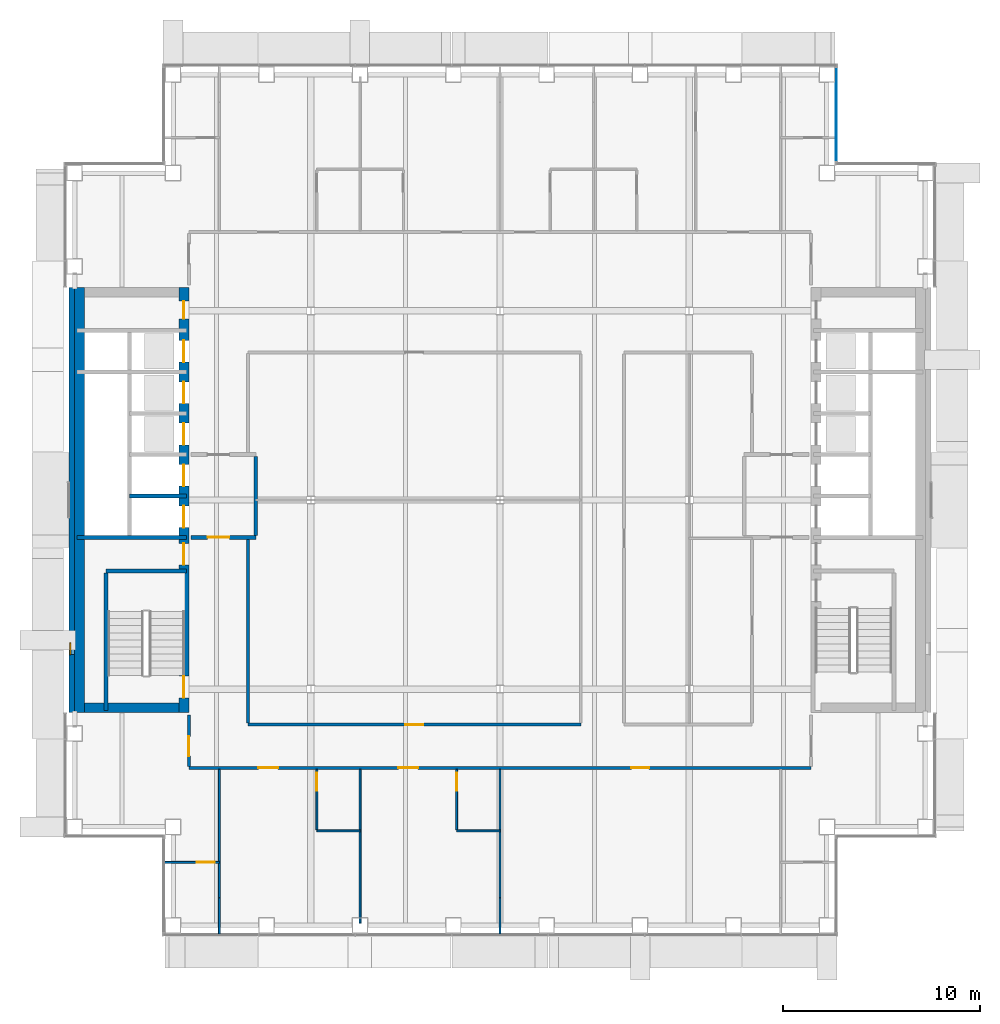
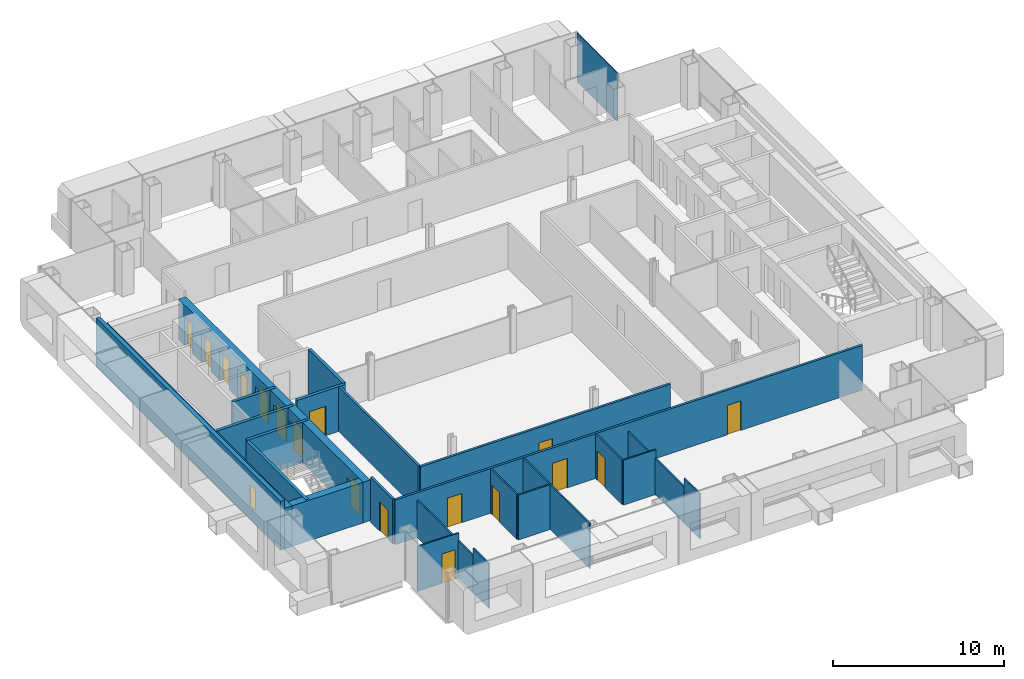
# One storey, part 12 of 21: 24 walls, 17 doors, 1 plate, 1 window, 18 openings, 1 element without a shape of its own.
"""IFC4 building model written with IfcOpenShell, lengths in metres."""

from ifc_helpers import new_model, si_unit, direction, frame, frame_2d, origin, origin_2d, place, context, subcontext, project, spatial, rectangle, extrude, material, layer, layer_set, type_object, element, fill, aggregate, save


model = new_model("IFC4")

# Units and contexts
model_context = context("Model", 3, precision=1e-05, world=origin(), true_north=direction((0.0, 1.0)))
body_context = subcontext(model_context, "Body", "Model", "MODEL_VIEW")
ifc_project = project(units=[si_unit("LENGTHUNIT", "METRE"), si_unit("AREAUNIT", "SQUARE_METRE"), si_unit("VOLUMEUNIT", "CUBIC_METRE"), si_unit("PLANEANGLEUNIT", "RADIAN"), si_unit("MASSUNIT", "GRAM", prefix="KILO")], contexts=[model_context])

# Site, building, storey
site_placement = place(None, origin())
site = spatial("IfcSite", under=ifc_project, at=site_placement, CompositionType="ELEMENT")
building_placement = place(site_placement, origin())
building = spatial("IfcBuilding", under=site, at=building_placement, Name="Cobrizo Arcos Hotel Tower", CompositionType="ELEMENT")
storey_placement = place(building_placement, frame((0.0, 0.0, 183.0)))
storey = spatial("IfcBuildingStorey", under=building, at=storey_placement, Name="L47", CompositionType="ELEMENT", Elevation=183.0)

# Curtain wall, plate
ifc_material_1 = material(Name="Aluminium 6063-T6 anodised bronze", Category="aluminium")
curtain_wall_type = type_object("IfcCurtainWallType", Name="CW-A guest facade", PredefinedType="NOTDEFINED", material=ifc_material_1)
curtain_wall_placement = place(storey_placement, origin())
curtain_wall = element("IfcCurtainWall", 1, at=curtain_wall_placement, inside=storey, type_object=curtain_wall_type, Name="CW-A L47 E face", PredefinedType="NOTDEFINED")
ifc_material_2 = material(Name="Aluminium composite panel pale metal", Category="aluminium")
ifc_layer_1 = layer(ifc_material_2, 0.0400390625)
ifc_layer_set_1 = layer_set([ifc_layer_1], Name="CW-A spandrel panel")
plate_type = type_object("IfcPlateType", Name="CW-A spandrel panel", PredefinedType="CURTAIN_PANEL", material=ifc_layer_set_1)
plate_placement = place(storey_placement, frame((17.074951171875, 19.574951171875, 0.0), z_axis=(0.0, 0.0, 1.0), x_axis=(0.0, 1.0, 0.0)))
plate = element("IfcPlate", 2, at=plate_placement, type_object=plate_type, Name="CW-A spandrel panel 1650", PredefinedType="CURTAIN_PANEL", context=body_context, shape_type="SweptSolid", body=[
    extrude(rectangle(XDim=4.72998046875, YDim=0.0400390625, at=origin_2d()), origin(), (0.0, 0.0, 1.0), 3.5),
])
aggregate(curtain_wall, [plate])

# Wall, openings, doors
ifc_material_3 = material(Name="Gypsum board partition")
ifc_layer_2 = layer(ifc_material_3, 0.14990234375)
ifc_layer_set_2 = layer_set([ifc_layer_2], Name="Corridor wall EI 60 150")
wall_type_1 = type_object("IfcWallType", Name="Corridor wall EI 60 150", PredefinedType="PARTITIONING", material=ifc_layer_set_2)
wall_1_placement = place(storey_placement, frame((-15.800048828125, -13.60009765625, 0.0), z_axis=(0.0, 0.0, 1.0), x_axis=(1.0, 0.0, 0.0)))
wall_1 = element("IfcWall", 3, at=wall_1_placement, inside=storey, type_object=wall_type_1, Name="Partition 005", PredefinedType="PARTITIONING", context=body_context, shape_type="SweptSolid", body=[
    extrude(rectangle(XDim=31.60009765625, YDim=0.14990234375, at=frame_2d((15.800048828125, 0.0))), origin(), (0.0, 0.0, 1.0), 3.199951171875),
])
opening_1_placement = place(wall_1_placement, frame((3.529052734375, 0.0, 0.0)))
opening_1 = element("IfcOpeningElement", 4, at=opening_1_placement, cuts=wall_1, Name="Opening GD-05", PredefinedType="OPENING", context=body_context, shape_type="SweptSolid", body=[
    extrude(rectangle(XDim=1.0, YDim=2.10009765625, at=frame_2d((0.5, 1.050048828125))), frame((0.0, 0.0869140625, 0.0), z_axis=(0.0, -1.0, 0.0), x_axis=(1.0, 0.0, 0.0)), (0.0, 0.0, 1.0), 0.173828125),
])
opening_2_placement = place(wall_1_placement, frame((10.64306640625, 0.0, 0.0)))
opening_2 = element("IfcOpeningElement", 5, at=opening_2_placement, cuts=wall_1, Name="Opening GD-06", PredefinedType="OPENING", context=body_context, shape_type="SweptSolid", body=[
    extrude(rectangle(XDim=1.0, YDim=2.10009765625, at=frame_2d((0.5, 1.050048828125))), frame((0.0, 0.0869140625, 0.0), z_axis=(0.0, -1.0, 0.0), x_axis=(1.0, 0.0, 0.0)), (0.0, 0.0, 1.0), 0.173828125),
])
opening_3_placement = place(wall_1_placement, frame((22.465087890625, 0.0, 0.0)))
opening_3 = element("IfcOpeningElement", 6, at=opening_3_placement, cuts=wall_1, Name="Opening RD-04", PredefinedType="OPENING", context=body_context, shape_type="SweptSolid", body=[
    extrude(rectangle(XDim=0.89990234375, YDim=2.10009765625, at=frame_2d((0.449951171875, 1.050048828125))), frame((0.0, 0.0869140625, 0.0), z_axis=(0.0, -1.0, 0.0), x_axis=(1.0, 0.0, 0.0)), (0.0, 0.0, 1.0), 0.173828125),
])
ifc_material_4 = material(Name="Timber door leaf", Category="wood")
door_type_1 = type_object("IfcDoorType", Name="Guest room door FD30S 1000x2100", OperationType="SINGLE_SWING_LEFT", PredefinedType="DOOR", material=ifc_material_4)
door_1_placement = place(opening_1_placement, origin())
door_1 = element("IfcDoor", 7, at=door_1_placement, inside=storey, type_object=door_type_1, Name="Door GD-05", OperationType="SINGLE_SWING_RIGHT", OverallHeight=2.10009765625, OverallWidth=1.0, PredefinedType="DOOR", context=body_context, shape_type="SweptSolid", body=[
    extrude(rectangle(XDim=1.0, YDim=2.10009765625, at=frame_2d((0.5, 1.050048828125))), frame((0.0, 0.02490234375, 0.0), z_axis=(0.0, -1.0, 0.0), x_axis=(1.0, 0.0, 0.0)), (0.0, 0.0, 1.0), 0.050048828125),
])
fill(opening_1, door_1)
door_2_placement = place(opening_2_placement, origin())
door_2 = element("IfcDoor", 8, at=door_2_placement, inside=storey, type_object=door_type_1, Name="Door GD-06", OperationType="SINGLE_SWING_RIGHT", OverallHeight=2.10009765625, OverallWidth=1.0, PredefinedType="DOOR", context=body_context, shape_type="SweptSolid", body=[
    extrude(rectangle(XDim=1.0, YDim=2.10009765625, at=frame_2d((0.5, 1.050048828125))), frame((0.0, 0.02490234375, 0.0), z_axis=(0.0, -1.0, 0.0), x_axis=(1.0, 0.0, 0.0)), (0.0, 0.0, 1.0), 0.050048828125),
])
fill(opening_2, door_2)
door_type_2 = type_object("IfcDoorType", Name="Room door FD30 900x2100", OperationType="SINGLE_SWING_LEFT", PredefinedType="DOOR", material=ifc_material_4)
door_3_placement = place(opening_3_placement, origin())
door_3 = element("IfcDoor", 9, at=door_3_placement, inside=storey, type_object=door_type_2, Name="Door RD-04", OperationType="SINGLE_SWING_LEFT", OverallHeight=2.10009765625, OverallWidth=0.89990234375, PredefinedType="DOOR", context=body_context, shape_type="SweptSolid", body=[
    extrude(rectangle(XDim=0.89990234375, YDim=2.10009765625, at=frame_2d((0.449951171875, 1.050048828125))), frame((0.0, 0.02490234375, 0.0), z_axis=(0.0, -1.0, 0.0), x_axis=(1.0, 0.0, 0.0)), (0.0, 0.0, 1.0), 0.050048828125),
])
fill(opening_3, door_3)

# Wall, opening, door
wall_2_placement = place(storey_placement, frame((-12.800048828125, -11.39990234375, 0.0), z_axis=(0.0, 0.0, 1.0), x_axis=(1.0, 0.0, 0.0)))
wall_2 = element("IfcWall", 10, at=wall_2_placement, inside=storey, type_object=wall_type_1, Name="Partition 006", PredefinedType="PARTITIONING", context=body_context, shape_type="SweptSolid", body=[
    extrude(rectangle(XDim=16.900146484375, YDim=0.14990234375, at=frame_2d((8.4501953125, 0.0))), origin(), (0.0, 0.0, 1.0), 3.199951171875),
])
opening_4_placement = place(wall_2_placement, frame((8.0, 0.0, 0.0)))
opening_4 = element("IfcOpeningElement", 11, at=opening_4_placement, cuts=wall_2, Name="Opening RD-07", PredefinedType="OPENING", context=body_context, shape_type="SweptSolid", body=[
    extrude(rectangle(XDim=0.89990234375, YDim=2.10009765625, at=frame_2d((0.449951171875, 1.050048828125))), frame((0.0, 0.0869140625, 0.0), z_axis=(0.0, -1.0, 0.0), x_axis=(1.0, 0.0, 0.0)), (0.0, 0.0, 1.0), 0.173828125),
])
door_4_placement = place(opening_4_placement, origin())
door_4 = element("IfcDoor", 12, at=door_4_placement, inside=storey, type_object=door_type_2, Name="Door RD-07", OperationType="SINGLE_SWING_LEFT", OverallHeight=2.10009765625, OverallWidth=0.89990234375, PredefinedType="DOOR", context=body_context, shape_type="SweptSolid", body=[
    extrude(rectangle(XDim=0.89990234375, YDim=2.10009765625, at=frame_2d((0.449951171875, 1.050048828125))), frame((0.0, 0.02490234375, 0.0), z_axis=(0.0, -1.0, 0.0), x_axis=(1.0, 0.0, 0.0)), (0.0, 0.0, 1.0), 0.050048828125),
])
fill(opening_4, door_4)

wall_3_placement = place(storey_placement, frame((-15.800048828125, -13.52490234375, 0.0), z_axis=(0.0, 0.0, 1.0), x_axis=(0.0, 1.0, 0.0)))
wall_3 = element("IfcWall", 13, at=wall_3_placement, inside=storey, type_object=wall_type_1, Name="Partition 043", PredefinedType="PARTITIONING", context=body_context, shape_type="SweptSolid", body=[
    extrude(rectangle(XDim=2.60498046875, YDim=0.14990234375, at=frame_2d((1.302490234375, 0.0))), origin(), (0.0, 0.0, 1.0), 3.199951171875),
])
opening_5_placement = place(wall_3_placement, frame((0.52490234375, 0.0, 0.0)))
opening_5 = element("IfcOpeningElement", 14, at=opening_5_placement, cuts=wall_3, Name="Opening GD-07", PredefinedType="OPENING", context=body_context, shape_type="SweptSolid", body=[
    extrude(rectangle(XDim=1.0, YDim=2.10009765625, at=frame_2d((0.5, 1.050048828125))), frame((0.0, 0.0869140625, 0.0), z_axis=(0.0, -1.0, 0.0), x_axis=(1.0, 0.0, 0.0)), (0.0, 0.0, 1.0), 0.173828125),
])
door_5_placement = place(opening_5_placement, origin())
door_5 = element("IfcDoor", 15, at=door_5_placement, inside=storey, type_object=door_type_1, Name="Door GD-07", OperationType="SINGLE_SWING_RIGHT", OverallHeight=2.10009765625, OverallWidth=1.0, PredefinedType="DOOR", context=body_context, shape_type="SweptSolid", body=[
    extrude(rectangle(XDim=1.0, YDim=2.10009765625, at=frame_2d((0.5, 1.050048828125))), frame((0.0, 0.02490234375, 0.0), z_axis=(0.0, -1.0, 0.0), x_axis=(1.0, 0.0, 0.0)), (0.0, 0.0, 1.0), 0.050048828125),
])
fill(opening_5, door_5)

# Wall
wall_4_placement = place(storey_placement, frame((-12.800048828125, -11.324951171875, 0.0), z_axis=(0.0, 0.0, 1.0), x_axis=(0.0, 1.0, 0.0)))
element("IfcWall", 16, at=wall_4_placement, inside=storey, type_object=wall_type_1, Name="Partition 049", PredefinedType="PARTITIONING", context=body_context, shape_type="SweptSolid", body=[
    extrude(rectangle(XDim=9.324951171875, YDim=0.14990234375, at=frame_2d((4.66259765625, 0.0))), origin(), (0.0, 0.0, 1.0), 3.199951171875),
])

# Wall, opening, window
ifc_layer_3 = layer(ifc_material_2, 0.27490234375)
ifc_layer_set_3 = layer_set([ifc_layer_3], Name="EW-1 insulated panel wall 275")
wall_type_2 = type_object("IfcWallType", Name="EW-1 insulated panel wall 275", PredefinedType="SOLIDWALL", material=ifc_layer_set_3)
wall_5_placement = place(storey_placement, frame((-21.737548828125, 10.800048828125, 0.0), z_axis=(0.0, 0.0, 1.0), x_axis=(0.0, -1.0, 0.0)))
wall_5 = element("IfcWall", 17, at=wall_5_placement, inside=storey, type_object=wall_type_2, Name="Core face wall L47 W", PredefinedType="SOLIDWALL", context=body_context, shape_type="SweptSolid", body=[
    extrude(rectangle(XDim=21.60009765625, YDim=0.27490234375, at=frame_2d((10.800048828125, 0.0))), origin(), (0.0, 0.0, 1.0), 3.5),
])
opening_6_placement = place(wall_5_placement, frame((18.050048828125, 0.0, 1.0)))
opening_6 = element("IfcOpeningElement", 18, at=opening_6_placement, cuts=wall_5, Name="Opening W-102", PredefinedType="OPENING", context=body_context, shape_type="SweptSolid", body=[
    extrude(rectangle(XDim=0.60009765625, YDim=1.5, at=frame_2d((0.300048828125, 0.75))), frame((0.0, 0.1494140625, 0.0), z_axis=(0.0, -1.0, 0.0), x_axis=(1.0, 0.0, 0.0)), (0.0, 0.0, 1.0), 0.298828125),
])
ifc_material_5 = material(Name="Aluminium 6063-T6 and clear laminated glass", Category="aluminium")
window_type = type_object("IfcWindowType", Name="W-C1 core stair slot window 600x1500", PartitioningType="SINGLE_PANEL", PredefinedType="WINDOW", material=ifc_material_5)
window_placement = place(opening_6_placement, origin())
window = element("IfcWindow", 19, at=window_placement, inside=storey, type_object=window_type, Name="Core face wall L47 W window W-102", OverallHeight=1.5, OverallWidth=0.60009765625, PartitioningType="SINGLE_PANEL", PredefinedType="WINDOW", context=body_context, shape_type="SweptSolid", body=[
    extrude(rectangle(XDim=0.60009765625, YDim=1.5, at=frame_2d((0.300048828125, 0.75))), frame((0.0, -0.04736328125, 0.0), z_axis=(0.0, -1.0, 0.0), x_axis=(1.0, 0.0, 0.0)), (0.0, 0.0, 1.0), 0.06005859375),
])
fill(opening_6, window)

# Wall, opening, door
ifc_layer_4 = layer(ifc_material_3, 0.10009765625)
ifc_layer_set_4 = layer_set([ifc_layer_4], Name="Partition EI 30 100")
wall_type_3 = type_object("IfcWallType", Name="Partition EI 30 100", PredefinedType="PARTITIONING", material=ifc_layer_set_4)
wall_6_placement = place(storey_placement, frame((-17.030029296875, -18.39990234375, 0.0), z_axis=(0.0, 0.0, 1.0), x_axis=(1.0, 0.0, 0.0)))
wall_6 = element("IfcWall", 20, at=wall_6_placement, inside=storey, type_object=wall_type_3, Name="Partition 001", PredefinedType="PARTITIONING", context=body_context, shape_type="SweptSolid", body=[
    extrude(rectangle(XDim=2.780029296875, YDim=0.10009765625, at=frame_2d((1.39013671875, 0.0))), origin(), (0.0, 0.0, 1.0), 3.199951171875),
])
opening_7_placement = place(wall_6_placement, frame((1.639892578125, 0.0, 0.0)))
opening_7 = element("IfcOpeningElement", 21, at=opening_7_placement, cuts=wall_6, Name="Opening ED-07", PredefinedType="OPENING", context=body_context, shape_type="SweptSolid", body=[
    extrude(rectangle(XDim=0.89990234375, YDim=2.10009765625, at=frame_2d((0.449951171875, 1.050048828125))), frame((0.0, 0.06201171875, 0.0), z_axis=(0.0, -1.0, 0.0), x_axis=(1.0, 0.0, 0.0)), (0.0, 0.0, 1.0), 0.1240234375),
])
door_type_3 = type_object("IfcDoorType", Name="En-suite door 900x2100", OperationType="SINGLE_SWING_LEFT", PredefinedType="DOOR", material=ifc_material_4)
door_6_placement = place(opening_7_placement, origin())
door_6 = element("IfcDoor", 22, at=door_6_placement, inside=storey, type_object=door_type_3, Name="Door ED-07", OperationType="SINGLE_SWING_RIGHT", OverallHeight=2.10009765625, OverallWidth=0.89990234375, PredefinedType="DOOR", context=body_context, shape_type="SweptSolid", body=[
    extrude(rectangle(XDim=0.89990234375, YDim=2.10009765625, at=frame_2d((0.449951171875, 1.050048828125))), frame((0.0, 0.02490234375, 0.0), z_axis=(0.0, -1.0, 0.0), x_axis=(1.0, 0.0, 0.0)), (0.0, 0.0, 1.0), 0.050048828125),
])
fill(opening_7, door_6)

# Walls
for number, where, z_axis, x_axis, name in (
    (23, (-9.300048828125, -16.800048828125, 0.0), (0.0, 0.0, 1.0), (1.0, 0.0, 0.0), "Partition 003"),
    (24, (-2.199951171875, -16.800048828125, 0.0), (0.0, 0.0, 1.0), (1.0, 0.0, 0.0), "Partition 004"),
):
    element("IfcWall", number, at=place(storey_placement, frame(where, z_axis=z_axis, x_axis=x_axis)), inside=storey, type_object=wall_type_3, Name=name, PredefinedType="PARTITIONING", context=body_context, shape_type="SweptSolid", body=[
        extrude(rectangle(XDim=2.199951171875, YDim=0.10009765625, at=frame_2d((1.10009765625, 0.0))), origin(), (0.0, 0.0, 1.0), 3.199951171875),
    ])
wall_7_placement = place(storey_placement, frame((-14.25, -22.030029296875, 0.0), z_axis=(0.0, 0.0, 1.0), x_axis=(0.0, 1.0, 0.0)))
element("IfcWall", 25, at=wall_7_placement, inside=storey, type_object=wall_type_3, Name="Partition 045", PredefinedType="PARTITIONING", context=body_context, shape_type="SweptSolid", body=[
    extrude(rectangle(XDim=1.83056640625, YDim=0.10009765625, at=frame_2d((0.915283203125, 0.0))), origin(), (0.0, 0.0, 1.0), 3.199951171875),
])
wall_8_placement = place(storey_placement, frame((-14.25, -20.199951171875, 0.0), z_axis=(0.0, 0.0, 1.0), x_axis=(0.0, 1.0, 0.0)))
element("IfcWall", 26, at=wall_8_placement, inside=storey, type_object=wall_type_3, Name="Partition 046", PredefinedType="PARTITIONING", context=body_context, shape_type="SweptSolid", body=[
    extrude(rectangle(XDim=6.52490234375, YDim=0.10009765625, at=frame_2d((3.262451171875, 0.0))), origin(), (0.0, 0.0, 1.0), 2.6669921875),
])

# Wall, opening, door
wall_9_placement = place(storey_placement, frame((-9.300048828125, -16.75, 0.0), z_axis=(0.0, 0.0, 1.0), x_axis=(0.0, 1.0, 0.0)))
wall_9 = element("IfcWall", 27, at=wall_9_placement, inside=storey, type_object=wall_type_3, Name="Partition 052", PredefinedType="PARTITIONING", context=body_context, shape_type="SweptSolid", body=[
    extrude(rectangle(XDim=3.074951171875, YDim=0.10009765625, at=frame_2d((1.53759765625, 0.0))), origin(), (0.0, 0.0, 1.0), 3.199951171875),
])
opening_8_placement = place(wall_9_placement, frame((1.99609375, 0.0, 0.0)))
opening_8 = element("IfcOpeningElement", 28, at=opening_8_placement, cuts=wall_9, Name="Opening ED-05", PredefinedType="OPENING", context=body_context, shape_type="SweptSolid", body=[
    extrude(rectangle(XDim=0.89990234375, YDim=2.10009765625, at=frame_2d((0.449951171875, 1.050048828125))), frame((0.0, 0.06201171875, 0.0), z_axis=(0.0, -1.0, 0.0), x_axis=(1.0, 0.0, 0.0)), (0.0, 0.0, 1.0), 0.1240234375),
])
door_7_placement = place(opening_8_placement, origin())
door_7 = element("IfcDoor", 29, at=door_7_placement, inside=storey, type_object=door_type_3, Name="Door ED-05", OperationType="SINGLE_SWING_LEFT", OverallHeight=2.10009765625, OverallWidth=0.89990234375, PredefinedType="DOOR", context=body_context, shape_type="SweptSolid", body=[
    extrude(rectangle(XDim=0.89990234375, YDim=2.10009765625, at=frame_2d((0.449951171875, 1.050048828125))), frame((0.0, 0.02490234375, 0.0), z_axis=(0.0, -1.0, 0.0), x_axis=(1.0, 0.0, 0.0)), (0.0, 0.0, 1.0), 0.050048828125),
])
fill(opening_8, door_7)

# Wall
wall_10_placement = place(storey_placement, frame((-7.10009765625, -21.47998046875, 0.0), z_axis=(0.0, 0.0, 1.0), x_axis=(0.0, 1.0, 0.0)))
element("IfcWall", 30, at=wall_10_placement, inside=storey, type_object=wall_type_3, Name="Partition 054", PredefinedType="PARTITIONING", context=body_context, shape_type="SweptSolid", body=[
    extrude(rectangle(XDim=7.804931640625, YDim=0.10009765625, at=frame_2d((3.90234375, 0.0))), origin(), (0.0, 0.0, 1.0), 3.199951171875),
])

# Wall, opening, door
wall_11_placement = place(storey_placement, frame((-2.199951171875, -16.75, 0.0), z_axis=(0.0, 0.0, 1.0), x_axis=(0.0, 1.0, 0.0)))
wall_11 = element("IfcWall", 31, at=wall_11_placement, inside=storey, type_object=wall_type_3, Name="Partition 058", PredefinedType="PARTITIONING", context=body_context, shape_type="SweptSolid", body=[
    extrude(rectangle(XDim=3.074951171875, YDim=0.10009765625, at=frame_2d((1.53759765625, 0.0))), origin(), (0.0, 0.0, 1.0), 3.199951171875),
])
opening_9_placement = place(wall_11_placement, frame((1.99609375, 0.0, 0.0)))
opening_9 = element("IfcOpeningElement", 32, at=opening_9_placement, cuts=wall_11, Name="Opening ED-06", PredefinedType="OPENING", context=body_context, shape_type="SweptSolid", body=[
    extrude(rectangle(XDim=0.89990234375, YDim=2.10009765625, at=frame_2d((0.449951171875, 1.050048828125))), frame((0.0, 0.06201171875, 0.0), z_axis=(0.0, -1.0, 0.0), x_axis=(1.0, 0.0, 0.0)), (0.0, 0.0, 1.0), 0.1240234375),
])
door_8_placement = place(opening_9_placement, origin())
door_8 = element("IfcDoor", 33, at=door_8_placement, inside=storey, type_object=door_type_3, Name="Door ED-06", OperationType="SINGLE_SWING_LEFT", OverallHeight=2.10009765625, OverallWidth=0.89990234375, PredefinedType="DOOR", context=body_context, shape_type="SweptSolid", body=[
    extrude(rectangle(XDim=0.89990234375, YDim=2.10009765625, at=frame_2d((0.449951171875, 1.050048828125))), frame((0.0, 0.02490234375, 0.0), z_axis=(0.0, -1.0, 0.0), x_axis=(1.0, 0.0, 0.0)), (0.0, 0.0, 1.0), 0.050048828125),
])
fill(opening_9, door_8)

# Walls
wall_12_placement = place(storey_placement, frame((0.0, -22.030029296875, 0.0), z_axis=(0.0, 0.0, 1.0), x_axis=(0.0, 1.0, 0.0)))
element("IfcWall", 34, at=wall_12_placement, inside=storey, type_object=wall_type_3, Name="Partition 059", PredefinedType="PARTITIONING", context=body_context, shape_type="SweptSolid", body=[
    extrude(rectangle(XDim=1.83056640625, YDim=0.10009765625, at=frame_2d((0.915283203125, 0.0))), origin(), (0.0, 0.0, 1.0), 3.199951171875),
])
wall_13_placement = place(storey_placement, frame((0.0, -20.199951171875, 0.0), z_axis=(0.0, 0.0, 1.0), x_axis=(0.0, 1.0, 0.0)))
element("IfcWall", 35, at=wall_13_placement, inside=storey, type_object=wall_type_3, Name="Partition 060", PredefinedType="PARTITIONING", context=body_context, shape_type="SweptSolid", body=[
    extrude(rectangle(XDim=6.52490234375, YDim=0.10009765625, at=frame_2d((3.262451171875, 0.0))), origin(), (0.0, 0.0, 1.0), 2.577880859375),
])

# Wall, openings, doors
ifc_material_6 = material(Name="Concrete f'c 50 MPa", Category="concrete")
ifc_layer_5 = layer(ifc_material_6, 0.5)
ifc_layer_set_5 = layer_set([ifc_layer_5], Name="RC core wall 500 f'c 50")
wall_type_4 = type_object("IfcWallType", Name="RC core wall 500 f'c 50", PredefinedType="SHEAR", material=ifc_layer_set_5)
wall_14_placement = place(storey_placement, frame((-16.050048828125, -10.800048828125, 0.0), z_axis=(0.0, 0.0, 1.0), x_axis=(0.0, 1.0, 0.0)))
wall_14 = element("IfcWall", 36, at=wall_14_placement, inside=storey, type_object=wall_type_4, Name="Core wall CW3, west core, inner face, L47", PredefinedType="SHEAR", context=body_context, shape_type="SweptSolid", body=[
    extrude(rectangle(XDim=21.60009765625, YDim=0.5, at=frame_2d((10.800048828125, 0.0))), origin(), (0.0, 0.0, 1.0), 2.89990234375),
])
opening_10_placement = place(wall_14_placement, frame((9.39990234375, 0.0, 0.0)))
opening_10 = element("IfcOpeningElement", 37, at=opening_10_placement, cuts=wall_14, Name="Opening LD-01", PredefinedType="OPENING", context=body_context, shape_type="SweptSolid", body=[
    extrude(rectangle(XDim=1.10009765625, YDim=2.10009765625, at=frame_2d((0.550048828125, 1.050048828125))), frame((0.0, 0.261962890625, 0.0), z_axis=(0.0, -1.0, 0.0), x_axis=(1.0, 0.0, 0.0)), (0.0, 0.0, 1.0), 0.52392578125),
])
opening_11_placement = place(wall_14_placement, frame((11.5, 0.0, 0.0)))
opening_11 = element("IfcOpeningElement", 38, at=opening_11_placement, cuts=wall_14, Name="Opening LD-02", PredefinedType="OPENING", context=body_context, shape_type="SweptSolid", body=[
    extrude(rectangle(XDim=1.10009765625, YDim=2.10009765625, at=frame_2d((0.550048828125, 1.050048828125))), frame((0.0, 0.261962890625, 0.0), z_axis=(0.0, -1.0, 0.0), x_axis=(1.0, 0.0, 0.0)), (0.0, 0.0, 1.0), 0.52392578125),
])
opening_12_placement = place(wall_14_placement, frame((13.60009765625, 0.0, 0.0)))
opening_12 = element("IfcOpeningElement", 39, at=opening_12_placement, cuts=wall_14, Name="Opening LD-03", PredefinedType="OPENING", context=body_context, shape_type="SweptSolid", body=[
    extrude(rectangle(XDim=1.10009765625, YDim=2.10009765625, at=frame_2d((0.550048828125, 1.050048828125))), frame((0.0, 0.261962890625, 0.0), z_axis=(0.0, -1.0, 0.0), x_axis=(1.0, 0.0, 0.0)), (0.0, 0.0, 1.0), 0.52392578125),
])
opening_13_placement = place(wall_14_placement, frame((15.699951171875, 0.0, 0.0)))
opening_13 = element("IfcOpeningElement", 40, at=opening_13_placement, cuts=wall_14, Name="Opening LD-04", PredefinedType="OPENING", context=body_context, shape_type="SweptSolid", body=[
    extrude(rectangle(XDim=1.10009765625, YDim=2.10009765625, at=frame_2d((0.550048828125, 1.050048828125))), frame((0.0, 0.261962890625, 0.0), z_axis=(0.0, -1.0, 0.0), x_axis=(1.0, 0.0, 0.0)), (0.0, 0.0, 1.0), 0.52392578125),
])
opening_14_placement = place(wall_14_placement, frame((17.800048828125, 0.0, 0.0)))
opening_14 = element("IfcOpeningElement", 41, at=opening_14_placement, cuts=wall_14, Name="Opening LD-05", PredefinedType="OPENING", context=body_context, shape_type="SweptSolid", body=[
    extrude(rectangle(XDim=1.10009765625, YDim=2.10009765625, at=frame_2d((0.550048828125, 1.050048828125))), frame((0.0, 0.261962890625, 0.0), z_axis=(0.0, -1.0, 0.0), x_axis=(1.0, 0.0, 0.0)), (0.0, 0.0, 1.0), 0.52392578125),
])
opening_15_placement = place(wall_14_placement, frame((0.758056640625, 0.0, 0.0)))
opening_15 = element("IfcOpeningElement", 42, at=opening_15_placement, cuts=wall_14, Name="Opening SD-01", PredefinedType="OPENING", context=body_context, shape_type="SweptSolid", body=[
    extrude(rectangle(XDim=1.10009765625, YDim=2.10009765625, at=frame_2d((0.550048828125, 1.050048828125))), frame((0.0, 0.261962890625, 0.0), z_axis=(0.0, -1.0, 0.0), x_axis=(1.0, 0.0, 0.0)), (0.0, 0.0, 1.0), 0.52392578125),
])
opening_16_placement = place(wall_14_placement, frame((7.5, 0.0, 0.0)))
opening_16 = element("IfcOpeningElement", 43, at=opening_16_placement, cuts=wall_14, Name="Opening FD-01", PredefinedType="OPENING", context=body_context, shape_type="SweptSolid", body=[
    extrude(rectangle(XDim=1.10009765625, YDim=2.10009765625, at=frame_2d((0.550048828125, 1.050048828125))), frame((0.0, 0.261962890625, 0.0), z_axis=(0.0, -1.0, 0.0), x_axis=(1.0, 0.0, 0.0)), (0.0, 0.0, 1.0), 0.52392578125),
])
opening_17_placement = place(wall_14_placement, frame((20.0, 0.0, 0.0)))
opening_17 = element("IfcOpeningElement", 44, at=opening_17_placement, cuts=wall_14, Name="Opening RD-01", PredefinedType="OPENING", context=body_context, shape_type="SweptSolid", body=[
    extrude(rectangle(XDim=0.89990234375, YDim=2.10009765625, at=frame_2d((0.449951171875, 1.050048828125))), frame((0.0, 0.261962890625, 0.0), z_axis=(0.0, -1.0, 0.0), x_axis=(1.0, 0.0, 0.0)), (0.0, 0.0, 1.0), 0.52392578125),
])
ifc_material_7 = material(Name="Steel door leaf", Category="steel")
door_type_4 = type_object("IfcDoorType", Name="Fire door FD60 1100x2100", OperationType="SINGLE_SWING_LEFT", PredefinedType="DOOR", material=ifc_material_7)
door_9_placement = place(opening_16_placement, origin())
door_9 = element("IfcDoor", 45, at=door_9_placement, inside=storey, type_object=door_type_4, Name="Door FD-01", OperationType="SINGLE_SWING_RIGHT", OverallHeight=2.10009765625, OverallWidth=1.10009765625, PredefinedType="DOOR", context=body_context, shape_type="SweptSolid", body=[
    extrude(rectangle(XDim=1.10009765625, YDim=2.10009765625, at=frame_2d((0.550048828125, 1.050048828125))), frame((0.0, 0.02490234375, 0.0), z_axis=(0.0, -1.0, 0.0), x_axis=(1.0, 0.0, 0.0)), (0.0, 0.0, 1.0), 0.050048828125),
])
fill(opening_16, door_9)
door_type_5 = type_object("IfcDoorType", Name="Lift landing door 1100x2100", OperationType="SLIDING_TO_LEFT", PredefinedType="DOOR", material=ifc_material_7)
door_10_placement = place(opening_10_placement, origin())
door_10 = element("IfcDoor", 46, at=door_10_placement, inside=storey, type_object=door_type_5, Name="Lift landing door LD-01", OperationType="SLIDING_TO_LEFT", OverallHeight=2.10009765625, OverallWidth=1.10009765625, PredefinedType="DOOR", context=body_context, shape_type="SweptSolid", body=[
    extrude(rectangle(XDim=1.10009765625, YDim=2.10009765625, at=frame_2d((0.550048828125, 1.050048828125))), frame((0.0, 0.02490234375, 0.0), z_axis=(0.0, -1.0, 0.0), x_axis=(1.0, 0.0, 0.0)), (0.0, 0.0, 1.0), 0.050048828125),
])
fill(opening_10, door_10)
door_11_placement = place(opening_11_placement, origin())
door_11 = element("IfcDoor", 47, at=door_11_placement, inside=storey, type_object=door_type_5, Name="Lift landing door LD-02", OperationType="SLIDING_TO_LEFT", OverallHeight=2.10009765625, OverallWidth=1.10009765625, PredefinedType="DOOR", context=body_context, shape_type="SweptSolid", body=[
    extrude(rectangle(XDim=1.10009765625, YDim=2.10009765625, at=frame_2d((0.550048828125, 1.050048828125))), frame((0.0, 0.02490234375, 0.0), z_axis=(0.0, -1.0, 0.0), x_axis=(1.0, 0.0, 0.0)), (0.0, 0.0, 1.0), 0.050048828125),
])
fill(opening_11, door_11)
door_12_placement = place(opening_12_placement, origin())
door_12 = element("IfcDoor", 48, at=door_12_placement, inside=storey, type_object=door_type_5, Name="Lift landing door LD-03", OperationType="SLIDING_TO_LEFT", OverallHeight=2.10009765625, OverallWidth=1.10009765625, PredefinedType="DOOR", context=body_context, shape_type="SweptSolid", body=[
    extrude(rectangle(XDim=1.10009765625, YDim=2.10009765625, at=frame_2d((0.550048828125, 1.050048828125))), frame((0.0, 0.02490234375, 0.0), z_axis=(0.0, -1.0, 0.0), x_axis=(1.0, 0.0, 0.0)), (0.0, 0.0, 1.0), 0.050048828125),
])
fill(opening_12, door_12)
door_13_placement = place(opening_13_placement, origin())
door_13 = element("IfcDoor", 49, at=door_13_placement, inside=storey, type_object=door_type_5, Name="Lift landing door LD-04", OperationType="SLIDING_TO_LEFT", OverallHeight=2.10009765625, OverallWidth=1.10009765625, PredefinedType="DOOR", context=body_context, shape_type="SweptSolid", body=[
    extrude(rectangle(XDim=1.10009765625, YDim=2.10009765625, at=frame_2d((0.550048828125, 1.050048828125))), frame((0.0, 0.02490234375, 0.0), z_axis=(0.0, -1.0, 0.0), x_axis=(1.0, 0.0, 0.0)), (0.0, 0.0, 1.0), 0.050048828125),
])
fill(opening_13, door_13)
door_14_placement = place(opening_14_placement, origin())
door_14 = element("IfcDoor", 50, at=door_14_placement, inside=storey, type_object=door_type_5, Name="Lift landing door LD-05", OperationType="SLIDING_TO_LEFT", OverallHeight=2.10009765625, OverallWidth=1.10009765625, PredefinedType="DOOR", context=body_context, shape_type="SweptSolid", body=[
    extrude(rectangle(XDim=1.10009765625, YDim=2.10009765625, at=frame_2d((0.550048828125, 1.050048828125))), frame((0.0, 0.02490234375, 0.0), z_axis=(0.0, -1.0, 0.0), x_axis=(1.0, 0.0, 0.0)), (0.0, 0.0, 1.0), 0.050048828125),
])
fill(opening_14, door_14)
door_15_placement = place(opening_17_placement, origin())
door_15 = element("IfcDoor", 51, at=door_15_placement, inside=storey, type_object=door_type_2, Name="Door RD-01", OperationType="SINGLE_SWING_RIGHT", OverallHeight=2.10009765625, OverallWidth=0.89990234375, PredefinedType="DOOR", context=body_context, shape_type="SweptSolid", body=[
    extrude(rectangle(XDim=0.89990234375, YDim=2.10009765625, at=frame_2d((0.449951171875, 1.050048828125))), frame((0.0, 0.02490234375, 0.0), z_axis=(0.0, -1.0, 0.0), x_axis=(1.0, 0.0, 0.0)), (0.0, 0.0, 1.0), 0.050048828125),
])
fill(opening_17, door_15)
door_type_6 = type_object("IfcDoorType", Name="Stair door FD60S 1100x2100", OperationType="SINGLE_SWING_LEFT", PredefinedType="DOOR", material=ifc_material_7)
door_16_placement = place(opening_15_placement, origin())
door_16 = element("IfcDoor", 52, at=door_16_placement, inside=storey, type_object=door_type_6, Name="Door SD-01", OperationType="SINGLE_SWING_RIGHT", OverallHeight=2.10009765625, OverallWidth=1.10009765625, PredefinedType="DOOR", context=body_context, shape_type="SweptSolid", body=[
    extrude(rectangle(XDim=1.10009765625, YDim=2.10009765625, at=frame_2d((0.550048828125, 1.050048828125))), frame((0.0, 0.02490234375, 0.0), z_axis=(0.0, -1.0, 0.0), x_axis=(1.0, 0.0, 0.0)), (0.0, 0.0, 1.0), 0.050048828125),
])
fill(opening_15, door_16)

# Walls
wall_15_placement = place(storey_placement, frame((-21.35009765625, -10.800048828125, 0.0), z_axis=(0.0, 0.0, 1.0), x_axis=(0.0, 1.0, 0.0)))
element("IfcWall", 53, at=wall_15_placement, inside=storey, type_object=wall_type_4, Name="Core wall CW3, west core, outer face, L47", PredefinedType="SHEAR", context=body_context, shape_type="SweptSolid", body=[
    extrude(rectangle(XDim=21.60009765625, YDim=0.5, at=frame_2d((10.800048828125, 0.0))), origin(), (0.0, 0.0, 1.0), 2.89990234375),
])
wall_16_placement = place(storey_placement, frame((-21.10009765625, -10.550048828125, 0.0), z_axis=(0.0, 0.0, 1.0), x_axis=(1.0, 0.0, 0.0)))
element("IfcWall", 54, at=wall_16_placement, inside=storey, type_object=wall_type_4, Name="Core wall CW3, west core, south end, L47", PredefinedType="SHEAR", context=body_context, shape_type="SweptSolid", body=[
    extrude(rectangle(XDim=4.800048828125, YDim=0.5, at=frame_2d((2.39990234375, 0.0))), origin(), (0.0, 0.0, 1.0), 2.89990234375),
])
ifc_layer_6 = layer(ifc_material_3, 0.199951171875)
ifc_layer_set_6 = layer_set([ifc_layer_6], Name="Shaft wall EI 120 200")
wall_type_5 = type_object("IfcWallType", Name="Shaft wall EI 120 200", PredefinedType="PARTITIONING", material=ifc_layer_set_6)
wall_17_placement = place(storey_placement, frame((-21.47998046875, -1.89990234375, 0.0), z_axis=(0.0, 0.0, 1.0), x_axis=(1.0, 0.0, 0.0)))
element("IfcWall", 55, at=wall_17_placement, inside=storey, type_object=wall_type_5, Name="Partition 011", PredefinedType="PARTITIONING", context=body_context, shape_type="SweptSolid", body=[
    extrude(rectangle(XDim=5.56005859375, YDim=0.199951171875, at=frame_2d((2.780029296875, 0.0))), origin(), (0.0, 0.0, 1.0), 2.89990234375),
])

# Wall, opening, door
wall_18_placement = place(storey_placement, frame((-15.679931640625, -1.89990234375, 0.0), z_axis=(0.0, 0.0, 1.0), x_axis=(1.0, 0.0, 0.0)))
wall_18 = element("IfcWall", 56, at=wall_18_placement, inside=storey, type_object=wall_type_5, Name="Partition 012", PredefinedType="PARTITIONING", context=body_context, shape_type="SweptSolid", body=[
    extrude(rectangle(XDim=3.280029296875, YDim=0.199951171875, at=frame_2d((1.64013671875, 0.0))), origin(), (0.0, 0.0, 1.0), 3.199951171875),
])
opening_18_placement = place(wall_18_placement, frame((0.840087890625, 0.0, 0.0)))
opening_18 = element("IfcOpeningElement", 57, at=opening_18_placement, cuts=wall_18, Name="Opening FD-03", PredefinedType="OPENING", context=body_context, shape_type="SweptSolid", body=[
    extrude(rectangle(XDim=1.10009765625, YDim=2.10009765625, at=frame_2d((0.550048828125, 1.050048828125))), frame((0.0, 0.112060546875, 0.0), z_axis=(0.0, -1.0, 0.0), x_axis=(1.0, 0.0, 0.0)), (0.0, 0.0, 1.0), 0.223876953125),
])
door_17_placement = place(opening_18_placement, origin())
door_17 = element("IfcDoor", 58, at=door_17_placement, inside=storey, type_object=door_type_4, Name="Door FD-03", OperationType="SINGLE_SWING_RIGHT", OverallHeight=2.10009765625, OverallWidth=1.10009765625, PredefinedType="DOOR", context=body_context, shape_type="SweptSolid", body=[
    extrude(rectangle(XDim=1.10009765625, YDim=2.10009765625, at=frame_2d((0.550048828125, 1.050048828125))), frame((0.0, 0.02490234375, 0.0), z_axis=(0.0, -1.0, 0.0), x_axis=(1.0, 0.0, 0.0)), (0.0, 0.0, 1.0), 0.050048828125),
])
fill(opening_18, door_17)

# Walls
wall_19_placement = place(storey_placement, frame((-18.800048828125, 0.199951171875, 0.0), z_axis=(0.0, 0.0, 1.0), x_axis=(1.0, 0.0, 0.0)))
element("IfcWall", 59, at=wall_19_placement, inside=storey, type_object=wall_type_5, Name="Partition 020", PredefinedType="PARTITIONING", context=body_context, shape_type="SweptSolid", body=[
    extrude(rectangle(XDim=2.880126953125, YDim=0.199951171875, at=frame_2d((1.43994140625, 0.0))), origin(), (0.0, 0.0, 1.0), 2.89990234375),
])
wall_20_placement = place(storey_placement, frame((-12.39990234375, -1.800048828125, 0.0), z_axis=(0.0, 0.0, 1.0), x_axis=(0.0, 1.0, 0.0)))
element("IfcWall", 60, at=wall_20_placement, inside=storey, type_object=wall_type_5, Name="Partition 051", PredefinedType="PARTITIONING", context=body_context, shape_type="SweptSolid", body=[
    extrude(rectangle(XDim=4.0, YDim=0.199951171875, at=frame_2d((2.0, 0.0))), origin(), (0.0, 0.0, 1.0), 3.199951171875),
])
ifc_material_8 = material(Name="Concrete f'c 40 MPa", Category="concrete")
ifc_layer_7 = layer(ifc_material_8, 0.199951171875)
ifc_layer_set_7 = layer_set([ifc_layer_7], Name="Stair shaft wall 200")
wall_type_6 = type_object("IfcWallType", Name="Stair shaft wall 200", PredefinedType="SHEAR", material=ifc_layer_set_7)
wall_21_placement = place(storey_placement, frame((-20.0, -3.60009765625, 0.0), z_axis=(0.0, 0.0, 1.0), x_axis=(1.0, 0.0, 0.0)))
element("IfcWall", 61, at=wall_21_placement, inside=storey, type_object=wall_type_6, Name="Stair shaft wall W", PredefinedType="SHEAR", context=body_context, shape_type="SweptSolid", body=[
    extrude(rectangle(XDim=4.080078125, YDim=0.199951171875, at=frame_2d((2.0400390625, 0.0))), origin(), (0.0, 0.0, 1.0), 2.89990234375),
])
wall_22_placement = place(storey_placement, frame((-20.0, -10.679931640625, 0.0), z_axis=(0.0, 0.0, 1.0), x_axis=(0.0, 1.0, 0.0)))
element("IfcWall", 62, at=wall_22_placement, inside=storey, type_object=wall_type_6, Name="Stair shaft wall W", PredefinedType="SHEAR", context=body_context, shape_type="SweptSolid", body=[
    extrude(rectangle(XDim=6.97998046875, YDim=0.199951171875, at=frame_2d((3.489990234375, 0.0))), origin(), (0.0, 0.0, 1.0), 2.89990234375),
])

save(model, "model.ifc")
